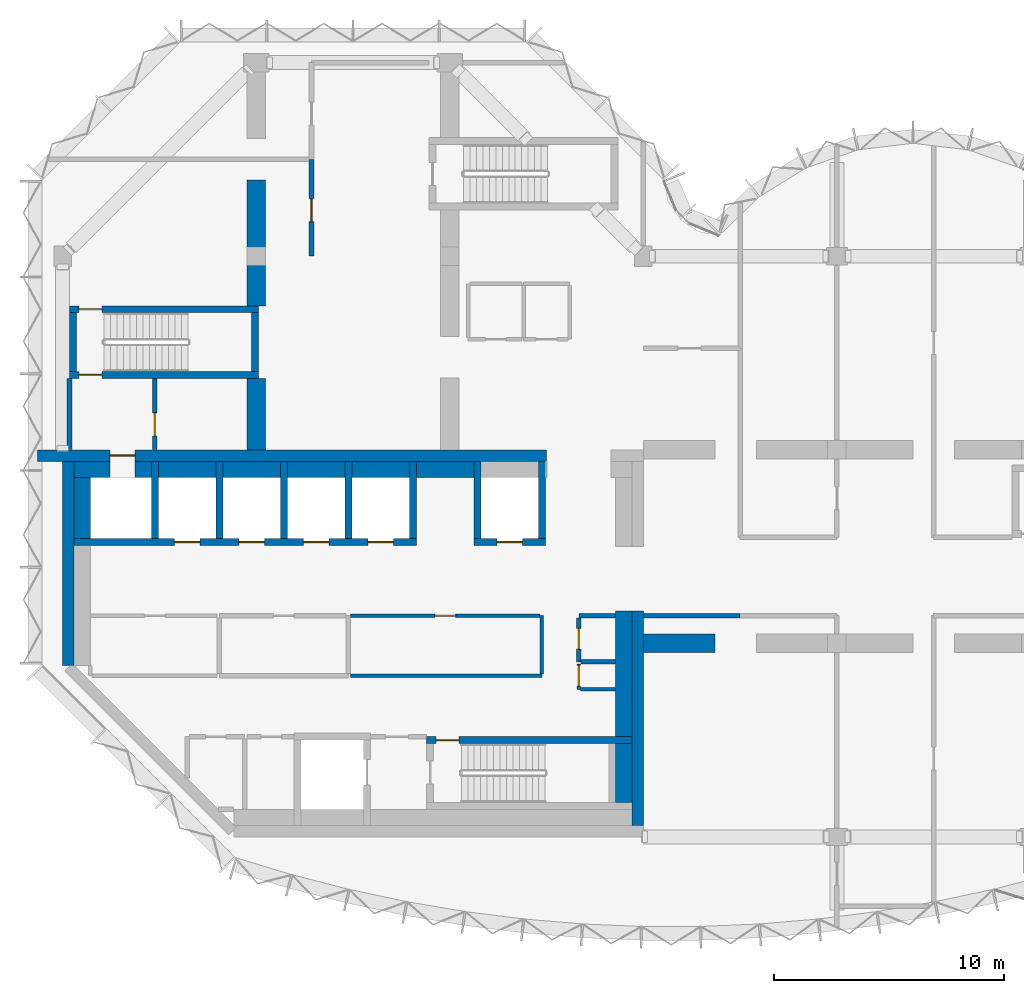
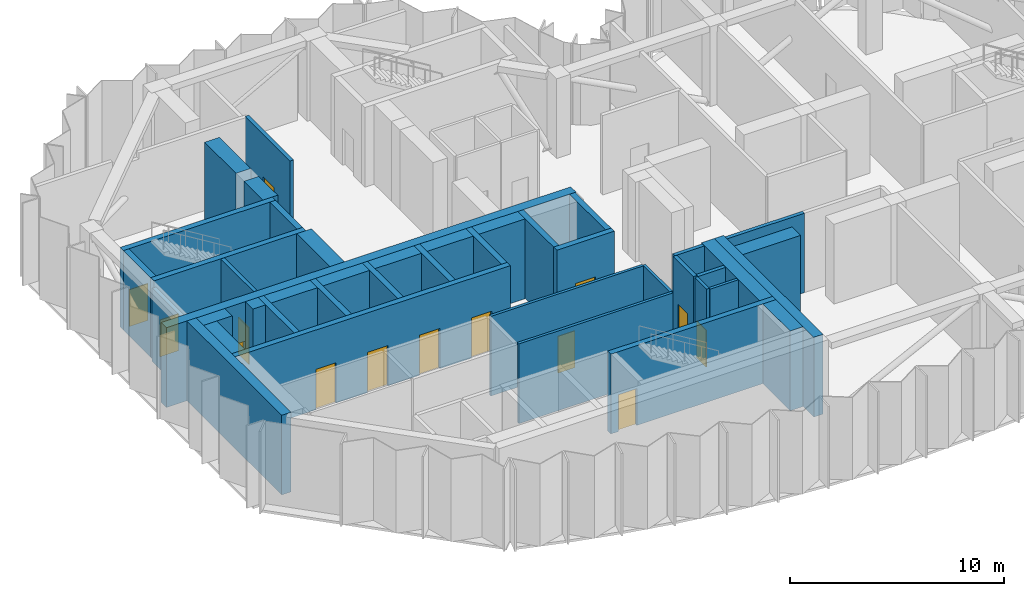
# One storey, part 4 of 13: 43 walls, 14 doors, 14 openings.
"""IFC4 building model written with IfcOpenShell, lengths in metres."""

from ifc_helpers import new_model, si_unit, direction, frame, frame_2d, origin, place, context, subcontext, project, spatial, rectangle, extrude, material, layer, layer_set, type_object, element, fill, save


model = new_model("IFC4")

# Units and contexts
model_context = context("Model", 3, precision=1e-05, world=origin(), true_north=direction((0.0, 1.0)))
body_context = subcontext(model_context, "Body", "Model", "MODEL_VIEW")
ifc_project = project(units=[si_unit("LENGTHUNIT", "METRE"), si_unit("AREAUNIT", "SQUARE_METRE"), si_unit("VOLUMEUNIT", "CUBIC_METRE"), si_unit("PLANEANGLEUNIT", "RADIAN"), si_unit("MASSUNIT", "GRAM", prefix="KILO")], contexts=[model_context])

# Site, building, storey
site_placement = place(None, origin())
site = spatial("IfcSite", under=ifc_project, at=site_placement, CompositionType="ELEMENT")
building_placement = place(site_placement, origin())
building = spatial("IfcBuilding", under=site, at=building_placement, Name="Brevane Broadcast Tower", CompositionType="ELEMENT")
storey_placement = place(building_placement, frame((0.0, 0.0, 210.89990234375)))
storey = spatial("IfcBuildingStorey", under=building, at=storey_placement, Name="L53", CompositionType="ELEMENT", Elevation=210.89990234375)

# Walls
ifc_material_1 = material(Name="Concrete C32/40", Category="concrete")
ifc_layer_1 = layer(ifc_material_1, 0.699951171875)
ifc_layer_set_1 = layer_set([ifc_layer_1], Name="Core chase wall 700 mm")
wall_type_1 = type_object("IfcWallType", Name="Core chase wall 700 mm", PredefinedType="PARTITIONING", material=ifc_layer_set_1)
wall_1_placement = place(storey_placement, frame((0.5, 15.949951171875, 0.0), z_axis=(0.0, 0.0, 1.0), x_axis=(1.0, 0.0, 0.0)))
element("IfcWall", 1, at=wall_1_placement, inside=storey, type_object=wall_type_1, Name="L53 chase wall LN0", PredefinedType="PARTITIONING", context=body_context, shape_type="SweptSolid", body=[
    extrude(rectangle(XDim=1.550048828125, YDim=0.699951171875, at=frame_2d((0.77490234375, 0.0))), origin(), (0.0, 0.0, 1.0), 4.550048828125),
])
wall_2_placement = place(storey_placement, frame((0.85009765625, 12.949951171875, 0.0), z_axis=(0.0, 0.0, 1.0), x_axis=(0.0, 1.0, 0.0)))
element("IfcWall", 2, at=wall_2_placement, inside=storey, type_object=wall_type_1, Name="L53 chase wall LW-2", PredefinedType="PARTITIONING", context=body_context, shape_type="SweptSolid", body=[
    extrude(rectangle(XDim=2.650146484375, YDim=0.699951171875, at=frame_2d((1.3251953125, 0.0))), origin(), (0.0, 0.0, 1.0), 4.550048828125),
])
wall_3_placement = place(storey_placement, frame((3.14990234375, 15.949951171875, 0.0), z_axis=(0.0, 0.0, 1.0), x_axis=(1.0, 0.0, 0.0)))
element("IfcWall", 3, at=wall_3_placement, inside=storey, type_object=wall_type_1, Name="L53 chase wall LN1-1", PredefinedType="PARTITIONING", context=body_context, shape_type="SweptSolid", body=[
    extrude(rectangle(XDim=0.7001953125, YDim=0.699951171875, at=frame_2d((0.35009765625, 0.0))), origin(), (0.0, 0.0, 1.0), 4.550048828125),
])
for number, where, z_axis, x_axis, name in (
    (4, (4.14990234375, 15.949951171875, 0.0), (0.0, 0.0, 1.0), (1.0, 0.0, 0.0), "L53 chase wall LN1-2-1"),
    (5, (6.949951171875, 15.949951171875, 0.0), (0.0, 0.0, 1.0), (1.0, 0.0, 0.0), "L53 chase wall LN1-2-2-1"),
    (6, (9.75, 15.949951171875, 0.0), (0.0, 0.0, 1.0), (1.0, 0.0, 0.0), "L53 chase wall LN1-2-2-2-1"),
    (7, (12.550048828125, 15.949951171875, 0.0), (0.0, 0.0, 1.0), (1.0, 0.0, 0.0), "L53 chase wall LN1-2-2-2-2-1"),
    (8, (15.35009765625, 15.949951171875, 0.0), (0.0, 0.0, 1.0), (1.0, 0.0, 0.0), "L53 chase wall LN1-2-2-2-2-2-1"),
):
    element("IfcWall", number, at=place(storey_placement, frame(where, z_axis=z_axis, x_axis=x_axis)), inside=storey, type_object=wall_type_1, Name=name, PredefinedType="PARTITIONING", context=body_context, shape_type="SweptSolid", body=[
        extrude(rectangle(XDim=2.5, YDim=0.699951171875, at=frame_2d((1.25, 0.0))), origin(), (0.0, 0.0, 1.0), 4.550048828125),
    ])
wall_4_placement = place(storey_placement, frame((24.35009765625, 1.5, 0.0), z_axis=(0.0, 0.0, 1.0), x_axis=(0.0, 1.0, 0.0)))
element("IfcWall", 9, at=wall_4_placement, inside=storey, type_object=wall_type_1, Name="L53 chase wall LE1-2-1", PredefinedType="PARTITIONING", context=body_context, shape_type="SweptSolid", body=[
    extrude(rectangle(XDim=2.550048828125, YDim=0.699951171875, at=frame_2d((1.27490234375, 0.0))), origin(), (0.0, 0.0, 1.0), 4.550048828125),
])
wall_5_placement = place(storey_placement, frame((24.35009765625, 4.35009765625, 0.0), z_axis=(0.0, 0.0, 1.0), x_axis=(0.0, 1.0, 0.0)))
element("IfcWall", 10, at=wall_5_placement, inside=storey, type_object=wall_type_1, Name="L53 chase wall LE1-2-2", PredefinedType="PARTITIONING", context=body_context, shape_type="SweptSolid", body=[
    extrude(rectangle(XDim=5.449951171875, YDim=0.699951171875, at=frame_2d((2.72509765625, 0.0))), origin(), (0.0, 0.0, 1.0), 4.550048828125),
])
ifc_material_2 = material(Name="Gypsum board on steel studs", Category="steel")
ifc_layer_2 = layer(ifc_material_2, 0.14990234375)
ifc_layer_set_2 = layer_set([ifc_layer_2], Name="Core fire partition 150 mm")
wall_type_2 = type_object("IfcWallType", Name="Core fire partition 150 mm", PredefinedType="PARTITIONING", material=ifc_layer_set_2)
wall_6_placement = place(storey_placement, frame((12.5, 7.0, 0.0), z_axis=(0.0, 0.0, 1.0), x_axis=(1.0, 0.0, 0.0)))
element("IfcWall", 11, at=wall_6_placement, inside=storey, type_object=wall_type_2, Name="L53 partition wall P19", PredefinedType="PARTITIONING", context=body_context, shape_type="SweptSolid", body=[
    extrude(rectangle(XDim=8.300048828125, YDim=0.14990234375, at=frame_2d((4.14990234375, 0.0))), origin(), (0.0, 0.0, 1.0), 4.550048828125),
])
wall_7_placement = place(storey_placement, frame((20.800048828125, 7.074951171875, 0.0), z_axis=(0.0, 0.0, 1.0), x_axis=(0.0, 1.0, 0.0)))
element("IfcWall", 12, at=wall_7_placement, inside=storey, type_object=wall_type_2, Name="L53 partition wall P20", PredefinedType="PARTITIONING", context=body_context, shape_type="SweptSolid", body=[
    extrude(rectangle(XDim=2.525146484375, YDim=0.14990234375, at=frame_2d((1.2626953125, 0.0))), origin(), (0.0, 0.0, 1.0), 4.550048828125),
])

# Wall, opening, door
wall_8_placement = place(storey_placement, frame((20.72509765625, 9.60009765625, 0.0), z_axis=(0.0, 0.0, 1.0), x_axis=(-1.0, 0.0, 0.0)))
wall_8 = element("IfcWall", 13, at=wall_8_placement, inside=storey, type_object=wall_type_2, Name="L53 partition wall P21", PredefinedType="PARTITIONING", context=body_context, shape_type="SweptSolid", body=[
    extrude(rectangle(XDim=8.22509765625, YDim=0.14990234375, at=frame_2d((4.112548828125, 0.0))), origin(), (0.0, 0.0, 1.0), 4.550048828125),
])
opening_1_placement = place(wall_8_placement, frame((3.675048828125, 0.0, 0.0)))
opening_1 = element("IfcOpeningElement", 14, at=opening_1_placement, cuts=wall_8, Name="Opening L53-K21", PredefinedType="OPENING", context=body_context, shape_type="SweptSolid", body=[
    extrude(rectangle(XDim=0.89990234375, YDim=2.10009765625, at=frame_2d((0.449951171875, 1.050048828125))), frame((0.0, 0.0849609375, 0.0), z_axis=(0.0, -1.0, 0.0), x_axis=(1.0, 0.0, 0.0)), (0.0, 0.0, 1.0), 0.169921875),
])
ifc_material_3 = material(Name="Steel", Category="steel")
door_type_1 = type_object("IfcDoorType", Name="Service room door 900 x 2100", OperationType="SINGLE_SWING_LEFT", PredefinedType="DOOR", material=ifc_material_3)
door_1_placement = place(opening_1_placement, origin())
door_1 = element("IfcDoor", 15, at=door_1_placement, inside=storey, type_object=door_type_1, Name="Door L53-K21", OperationType="SINGLE_SWING_LEFT", OverallHeight=2.10009765625, OverallWidth=0.89990234375, PredefinedType="DOOR", context=body_context, shape_type="SweptSolid", body=[
    extrude(rectangle(XDim=0.89990234375, YDim=2.10009765625, at=frame_2d((0.449951171875, 1.050048828125))), frame((0.0, 0.02490234375, 0.0), z_axis=(0.0, -1.0, 0.0), x_axis=(1.0, 0.0, 0.0)), (0.0, 0.0, 1.0), 0.050048828125),
])
fill(opening_1, door_1)

wall_9_placement = place(storey_placement, frame((22.39990234375, 7.5, 0.0), z_axis=(0.0, 0.0, 1.0), x_axis=(0.0, -1.0, 0.0)))
wall_9 = element("IfcWall", 16, at=wall_9_placement, inside=storey, type_object=wall_type_2, Name="L53 partition wall P29", PredefinedType="PARTITIONING", context=body_context, shape_type="SweptSolid", body=[
    extrude(rectangle(XDim=1.10009765625, YDim=0.14990234375, at=frame_2d((0.550048828125, 0.0))), origin(), (0.0, 0.0, 1.0), 4.550048828125),
])
opening_2_placement = place(wall_9_placement, frame((0.050048828125, 0.0, 0.0)))
opening_2 = element("IfcOpeningElement", 17, at=opening_2_placement, cuts=wall_9, Name="Opening L53-K17", PredefinedType="OPENING", context=body_context, shape_type="SweptSolid", body=[
    extrude(rectangle(XDim=0.89990234375, YDim=2.10009765625, at=frame_2d((0.449951171875, 1.050048828125))), frame((0.0, 0.0849609375, 0.0), z_axis=(0.0, -1.0, 0.0), x_axis=(1.0, 0.0, 0.0)), (0.0, 0.0, 1.0), 0.169921875),
])
door_2_placement = place(opening_2_placement, origin())
door_2 = element("IfcDoor", 18, at=door_2_placement, inside=storey, type_object=door_type_1, Name="Door L53-K17", OperationType="SINGLE_SWING_LEFT", OverallHeight=2.10009765625, OverallWidth=0.89990234375, PredefinedType="DOOR", context=body_context, shape_type="SweptSolid", body=[
    extrude(rectangle(XDim=0.89990234375, YDim=2.10009765625, at=frame_2d((0.449951171875, 1.050048828125))), frame((0.0, 0.02490234375, 0.0), z_axis=(0.0, -1.0, 0.0), x_axis=(1.0, 0.0, 0.0)), (0.0, 0.0, 1.0), 0.050048828125),
])
fill(opening_2, door_2)

# Walls
wall_10_placement = place(storey_placement, frame((22.47509765625, 6.39990234375, 0.0), z_axis=(0.0, 0.0, 1.0), x_axis=(1.0, 0.0, 0.0)))
element("IfcWall", 19, at=wall_10_placement, inside=storey, type_object=wall_type_2, Name="L53 partition wall P30", PredefinedType="PARTITIONING", context=body_context, shape_type="SweptSolid", body=[
    extrude(rectangle(XDim=1.512939453125, YDim=0.14990234375, at=frame_2d((0.75634765625, 0.0))), origin(), (0.0, 0.0, 1.0), 4.550048828125),
])
ifc_layer_3 = layer(ifc_material_2, 0.199951171875)
ifc_layer_set_3 = layer_set([ifc_layer_3], Name="Core fire partition 200 mm")
wall_type_3 = type_object("IfcWallType", Name="Core fire partition 200 mm", PredefinedType="PARTITIONING", material=ifc_layer_set_3)
wall_11_placement = place(storey_placement, frame((0.300048828125, 16.81201171875, 0.0), z_axis=(0.0, 0.0, 1.0), x_axis=(0.0, 1.0, 0.0)))
element("IfcWall", 20, at=wall_11_placement, inside=storey, type_object=wall_type_3, Name="L53 partition wall P01", PredefinedType="PARTITIONING", context=body_context, shape_type="SweptSolid", body=[
    extrude(rectangle(XDim=3.075927734375, YDim=0.199951171875, at=frame_2d((1.5380859375, 0.0))), origin(), (0.0, 0.0, 1.0), 4.18017578125),
])

# Wall, opening, door
wall_12_placement = place(storey_placement, frame((4.0, 19.887939453125, 0.0), z_axis=(0.0, 0.0, 1.0), x_axis=(0.0, -1.0, 0.0)))
wall_12 = element("IfcWall", 21, at=wall_12_placement, inside=storey, type_object=wall_type_3, Name="L53 partition wall P02", PredefinedType="PARTITIONING", context=body_context, shape_type="SweptSolid", body=[
    extrude(rectangle(XDim=3.075927734375, YDim=0.199951171875, at=frame_2d((1.5380859375, 0.0))), origin(), (0.0, 0.0, 1.0), 4.550048828125),
])
opening_3_placement = place(wall_12_placement, frame((1.488037109375, 0.0, 0.0)))
opening_3 = element("IfcOpeningElement", 22, at=opening_3_placement, cuts=wall_12, Name="Opening L53-K22", PredefinedType="OPENING", context=body_context, shape_type="SweptSolid", body=[
    extrude(rectangle(XDim=1.0, YDim=2.10009765625, at=frame_2d((0.5, 1.050048828125))), frame((0.0, 0.10986328125, 0.0), z_axis=(0.0, -1.0, 0.0), x_axis=(1.0, 0.0, 0.0)), (0.0, 0.0, 1.0), 0.219970703125),
])
door_type_2 = type_object("IfcDoorType", Name="Stair door 1000 x 2100", OperationType="SINGLE_SWING_LEFT", PredefinedType="DOOR", material=ifc_material_3)
door_3_placement = place(opening_3_placement, origin())
door_3 = element("IfcDoor", 23, at=door_3_placement, inside=storey, type_object=door_type_2, Name="Door L53-K22", OperationType="SINGLE_SWING_RIGHT", OverallHeight=2.10009765625, OverallWidth=1.0, PredefinedType="DOOR", context=body_context, shape_type="SweptSolid", body=[
    extrude(rectangle(XDim=1.0, YDim=2.10009765625, at=frame_2d((0.5, 1.050048828125))), frame((0.0, 0.02490234375, 0.0), z_axis=(0.0, -1.0, 0.0), x_axis=(1.0, 0.0, 0.0)), (0.0, 0.0, 1.0), 0.050048828125),
])
fill(opening_3, door_3)

# Wall
wall_13_placement = place(storey_placement, frame((23.988037109375, 9.60009765625, 0.0), z_axis=(0.0, 0.0, 1.0), x_axis=(-1.0, 0.0, 0.0)))
element("IfcWall", 24, at=wall_13_placement, inside=storey, type_object=wall_type_3, Name="L53 partition wall P09", PredefinedType="PARTITIONING", context=body_context, shape_type="SweptSolid", body=[
    extrude(rectangle(XDim=1.588134765625, YDim=0.199951171875, at=frame_2d((0.7939453125, 0.0))), origin(), (0.0, 0.0, 1.0), 4.550048828125),
])

# Wall, opening, door
wall_14_placement = place(storey_placement, frame((22.39990234375, 9.5, 0.0), z_axis=(0.0, 0.0, 1.0), x_axis=(0.0, -1.0, 0.0)))
wall_14 = element("IfcWall", 25, at=wall_14_placement, inside=storey, type_object=wall_type_3, Name="L53 partition wall P10", PredefinedType="PARTITIONING", context=body_context, shape_type="SweptSolid", body=[
    extrude(rectangle(XDim=1.89990234375, YDim=0.199951171875, at=frame_2d((0.949951171875, 0.0))), origin(), (0.0, 0.0, 1.0), 4.550048828125),
])
opening_4_placement = place(wall_14_placement, frame((0.449951171875, 0.0, 0.0)))
opening_4 = element("IfcOpeningElement", 26, at=opening_4_placement, cuts=wall_14, Name="Opening L53-K18", PredefinedType="OPENING", context=body_context, shape_type="SweptSolid", body=[
    extrude(rectangle(XDim=0.89990234375, YDim=2.10009765625, at=frame_2d((0.449951171875, 1.050048828125))), frame((0.0, 0.10986328125, 0.0), z_axis=(0.0, -1.0, 0.0), x_axis=(1.0, 0.0, 0.0)), (0.0, 0.0, 1.0), 0.219970703125),
])
door_4_placement = place(opening_4_placement, origin())
door_4 = element("IfcDoor", 27, at=door_4_placement, inside=storey, type_object=door_type_1, Name="Door L53-K18", OperationType="SINGLE_SWING_RIGHT", OverallHeight=2.10009765625, OverallWidth=0.89990234375, PredefinedType="DOOR", context=body_context, shape_type="SweptSolid", body=[
    extrude(rectangle(XDim=0.89990234375, YDim=2.10009765625, at=frame_2d((0.449951171875, 1.050048828125))), frame((0.0, 0.02490234375, 0.0), z_axis=(0.0, -1.0, 0.0), x_axis=(1.0, 0.0, 0.0)), (0.0, 0.0, 1.0), 0.050048828125),
])
fill(opening_4, door_4)

# Wall
wall_15_placement = place(storey_placement, frame((22.5, 7.60009765625, 0.0), z_axis=(0.0, 0.0, 1.0), x_axis=(1.0, 0.0, 0.0)))
element("IfcWall", 28, at=wall_15_placement, inside=storey, type_object=wall_type_3, Name="L53 partition wall P11", PredefinedType="PARTITIONING", context=body_context, shape_type="SweptSolid", body=[
    extrude(rectangle(XDim=1.488037109375, YDim=0.199951171875, at=frame_2d((0.744140625, 0.0))), origin(), (0.0, 0.0, 1.0), 4.550048828125),
])

# Wall, openings, doors
ifc_material_4 = material(Name="Concrete C50/60", Category="concrete")
ifc_layer_4 = layer(ifc_material_4, 0.300048828125)
ifc_layer_set_4 = layer_set([ifc_layer_4], Name="Core wall 300 mm C50/60")
wall_type_4 = type_object("IfcWallType", Name="Core wall 300 mm C50/60", PredefinedType="SHEAR", material=ifc_layer_set_4)
wall_16_placement = place(storey_placement, frame((0.5, 12.800048828125, 0.0), z_axis=(0.0, 0.0, 1.0), x_axis=(1.0, 0.0, 0.0)))
wall_16 = element("IfcWall", 29, at=wall_16_placement, inside=storey, type_object=wall_type_4, Name="L53 shaft wall SH-N012-front", PredefinedType="SHEAR", context=body_context, shape_type="SweptSolid", body=[
    extrude(rectangle(XDim=14.85009765625, YDim=0.300048828125, at=frame_2d((7.425048828125, 0.0))), origin(), (0.0, 0.0, 1.0), 4.550048828125),
])
opening_5_placement = place(wall_16_placement, frame((4.35009765625, 0.0, 0.0)))
opening_5 = element("IfcOpeningElement", 30, at=opening_5_placement, cuts=wall_16, Name="Opening LD", PredefinedType="OPENING", context=body_context, shape_type="SweptSolid", body=[
    extrude(rectangle(XDim=1.10009765625, YDim=2.300048828125, at=frame_2d((0.550048828125, 1.14990234375))), frame((0.0, 0.159912109375, 0.0), z_axis=(0.0, -1.0, 0.0), x_axis=(1.0, 0.0, 0.0)), (0.0, 0.0, 1.0), 0.320068359375),
])
opening_6_placement = place(wall_16_placement, frame((7.14990234375, 0.0, 0.0)))
opening_6 = element("IfcOpeningElement", 31, at=opening_6_placement, cuts=wall_16, Name="Opening LD", PredefinedType="OPENING", context=body_context, shape_type="SweptSolid", body=[
    extrude(rectangle(XDim=1.10009765625, YDim=2.300048828125, at=frame_2d((0.550048828125, 1.14990234375))), frame((0.0, 0.159912109375, 0.0), z_axis=(0.0, -1.0, 0.0), x_axis=(1.0, 0.0, 0.0)), (0.0, 0.0, 1.0), 0.320068359375),
])
opening_7_placement = place(wall_16_placement, frame((9.949951171875, 0.0, 0.0)))
opening_7 = element("IfcOpeningElement", 32, at=opening_7_placement, cuts=wall_16, Name="Opening LD", PredefinedType="OPENING", context=body_context, shape_type="SweptSolid", body=[
    extrude(rectangle(XDim=1.10009765625, YDim=2.300048828125, at=frame_2d((0.550048828125, 1.14990234375))), frame((0.0, 0.159912109375, 0.0), z_axis=(0.0, -1.0, 0.0), x_axis=(1.0, 0.0, 0.0)), (0.0, 0.0, 1.0), 0.320068359375),
])
opening_8_placement = place(wall_16_placement, frame((12.75, 0.0, 0.0)))
opening_8 = element("IfcOpeningElement", 33, at=opening_8_placement, cuts=wall_16, Name="Opening LD", PredefinedType="OPENING", context=body_context, shape_type="SweptSolid", body=[
    extrude(rectangle(XDim=1.10009765625, YDim=2.300048828125, at=frame_2d((0.550048828125, 1.14990234375))), frame((0.0, 0.159912109375, 0.0), z_axis=(0.0, -1.0, 0.0), x_axis=(1.0, 0.0, 0.0)), (0.0, 0.0, 1.0), 0.320068359375),
])
ifc_material_5 = material(Name="Stainless steel", Category="steel")
door_type_3 = type_object("IfcDoorType", Name="Lift landing door", OperationType="SLIDING_TO_LEFT", PredefinedType="DOOR", material=ifc_material_5)
door_5_placement = place(opening_5_placement, origin())
door_5 = element("IfcDoor", 34, at=door_5_placement, inside=storey, type_object=door_type_3, Name="Landing door HR1 L53", OperationType="SLIDING_TO_LEFT", OverallHeight=2.300048828125, OverallWidth=1.10009765625, PredefinedType="DOOR", context=body_context, shape_type="SweptSolid", body=[
    extrude(rectangle(XDim=1.10009765625, YDim=2.300048828125, at=frame_2d((0.550048828125, 1.14990234375))), frame((0.0, 0.02490234375, 0.0), z_axis=(0.0, -1.0, 0.0), x_axis=(1.0, 0.0, 0.0)), (0.0, 0.0, 1.0), 0.050048828125),
])
fill(opening_5, door_5)
door_6_placement = place(opening_6_placement, origin())
door_6 = element("IfcDoor", 35, at=door_6_placement, inside=storey, type_object=door_type_3, Name="Landing door HR2 L53", OperationType="SLIDING_TO_LEFT", OverallHeight=2.300048828125, OverallWidth=1.10009765625, PredefinedType="DOOR", context=body_context, shape_type="SweptSolid", body=[
    extrude(rectangle(XDim=1.10009765625, YDim=2.300048828125, at=frame_2d((0.550048828125, 1.14990234375))), frame((0.0, 0.02490234375, 0.0), z_axis=(0.0, -1.0, 0.0), x_axis=(1.0, 0.0, 0.0)), (0.0, 0.0, 1.0), 0.050048828125),
])
fill(opening_6, door_6)
door_7_placement = place(opening_7_placement, origin())
door_7 = element("IfcDoor", 36, at=door_7_placement, inside=storey, type_object=door_type_3, Name="Landing door HR3 L53", OperationType="SLIDING_TO_LEFT", OverallHeight=2.300048828125, OverallWidth=1.10009765625, PredefinedType="DOOR", context=body_context, shape_type="SweptSolid", body=[
    extrude(rectangle(XDim=1.10009765625, YDim=2.300048828125, at=frame_2d((0.550048828125, 1.14990234375))), frame((0.0, 0.02490234375, 0.0), z_axis=(0.0, -1.0, 0.0), x_axis=(1.0, 0.0, 0.0)), (0.0, 0.0, 1.0), 0.050048828125),
])
fill(opening_7, door_7)
door_8_placement = place(opening_8_placement, origin())
door_8 = element("IfcDoor", 37, at=door_8_placement, inside=storey, type_object=door_type_3, Name="Landing door HR4 L53", OperationType="SLIDING_TO_LEFT", OverallHeight=2.300048828125, OverallWidth=1.10009765625, PredefinedType="DOOR", context=body_context, shape_type="SweptSolid", body=[
    extrude(rectangle(XDim=1.10009765625, YDim=2.300048828125, at=frame_2d((0.550048828125, 1.14990234375))), frame((0.0, 0.02490234375, 0.0), z_axis=(0.0, -1.0, 0.0), x_axis=(1.0, 0.0, 0.0)), (0.0, 0.0, 1.0), 0.050048828125),
])
fill(opening_8, door_8)

# Walls
for number, where, z_axis, x_axis, name in (
    (38, (4.0, 12.949951171875, 0.0), (0.0, 0.0, 1.0), (0.0, 1.0, 0.0), "L53 shaft wall SH-N-P040"),
    (39, (6.800048828125, 12.949951171875, 0.0), (0.0, 0.0, 1.0), (0.0, 1.0, 0.0), "L53 shaft wall SH-N-P068"),
    (40, (9.60009765625, 12.949951171875, 0.0), (0.0, 0.0, 1.0), (0.0, 1.0, 0.0), "L53 shaft wall SH-N-P096"),
    (41, (12.39990234375, 12.949951171875, 0.0), (0.0, 0.0, 1.0), (0.0, 1.0, 0.0), "L53 shaft wall SH-N-P124"),
    (42, (15.199951171875, 12.949951171875, 0.0), (0.0, 0.0, 1.0), (0.0, 1.0, 0.0), "L53 shaft wall SH-N-P152"),
):
    element("IfcWall", number, at=place(storey_placement, frame(where, z_axis=z_axis, x_axis=x_axis)), inside=storey, type_object=wall_type_4, Name=name, PredefinedType="SHEAR", context=body_context, shape_type="SweptSolid", body=[
        extrude(rectangle(XDim=3.35009765625, YDim=0.300048828125, at=frame_2d((1.675048828125, 0.0))), origin(), (0.0, 0.0, 1.0), 4.550048828125),
    ])

# Wall, opening, door
wall_17_placement = place(storey_placement, frame((17.85009765625, 12.800048828125, 0.0), z_axis=(0.0, 0.0, 1.0), x_axis=(1.0, 0.0, 0.0)))
wall_17 = element("IfcWall", 43, at=wall_17_placement, inside=storey, type_object=wall_type_4, Name="L53 shaft wall SH-N180-front", PredefinedType="SHEAR", context=body_context, shape_type="SweptSolid", body=[
    extrude(rectangle(XDim=3.099853515625, YDim=0.300048828125, at=frame_2d((1.5498046875, 0.0))), origin(), (0.0, 0.0, 1.0), 4.550048828125),
])
opening_9_placement = place(wall_17_placement, frame((1.0, 0.0, 0.0)))
opening_9 = element("IfcOpeningElement", 44, at=opening_9_placement, cuts=wall_17, Name="Opening LD", PredefinedType="OPENING", context=body_context, shape_type="SweptSolid", body=[
    extrude(rectangle(XDim=1.10009765625, YDim=2.300048828125, at=frame_2d((0.550048828125, 1.14990234375))), frame((0.0, 0.159912109375, 0.0), z_axis=(0.0, -1.0, 0.0), x_axis=(1.0, 0.0, 0.0)), (0.0, 0.0, 1.0), 0.320068359375),
])
door_9_placement = place(opening_9_placement, origin())
door_9 = element("IfcDoor", 45, at=door_9_placement, inside=storey, type_object=door_type_3, Name="Landing door SL1 L53", OperationType="SLIDING_TO_LEFT", OverallHeight=2.300048828125, OverallWidth=1.10009765625, PredefinedType="DOOR", context=body_context, shape_type="SweptSolid", body=[
    extrude(rectangle(XDim=1.10009765625, YDim=2.300048828125, at=frame_2d((0.550048828125, 1.14990234375))), frame((0.0, 0.02490234375, 0.0), z_axis=(0.0, -1.0, 0.0), x_axis=(1.0, 0.0, 0.0)), (0.0, 0.0, 1.0), 0.050048828125),
])
fill(opening_9, door_9)

# Walls
for number, where, z_axis, x_axis, name in (
    (46, (18.0, 12.949951171875, 0.0), (0.0, 0.0, 1.0), (0.0, 1.0, 0.0), "L53 shaft wall SH-N-P180"),
    (47, (20.800048828125, 12.949951171875, 0.0), (0.0, 0.0, 1.0), (0.0, 1.0, 0.0), "L53 shaft wall SH-N-P208"),
):
    element("IfcWall", number, at=place(storey_placement, frame(where, z_axis=z_axis, x_axis=x_axis)), inside=storey, type_object=wall_type_4, Name=name, PredefinedType="SHEAR", context=body_context, shape_type="SweptSolid", body=[
        extrude(rectangle(XDim=3.35009765625, YDim=0.300048828125, at=frame_2d((1.675048828125, 0.0))), origin(), (0.0, 0.0, 1.0), 4.550048828125),
    ])

# Wall, opening, door
wall_18_placement = place(storey_placement, frame((8.5, 20.050048828125, 0.0), z_axis=(0.0, 0.0, 1.0), x_axis=(-1.0, 0.0, 0.0)))
wall_18 = element("IfcWall", 48, at=wall_18_placement, inside=storey, type_object=wall_type_4, Name="L53 stair wall ST-1-S", PredefinedType="SHEAR", context=body_context, shape_type="SweptSolid", body=[
    extrude(rectangle(XDim=8.199951171875, YDim=0.300048828125, at=frame_2d((4.10009765625, 0.0))), origin(), (0.0, 0.0, 1.0), 4.550048828125),
])
opening_10_placement = place(wall_18_placement, frame((6.800048828125, 0.0, 0.0)))
opening_10 = element("IfcOpeningElement", 49, at=opening_10_placement, cuts=wall_18, Name="Opening L53-K08", PredefinedType="OPENING", context=body_context, shape_type="SweptSolid", body=[
    extrude(rectangle(XDim=1.0, YDim=2.10009765625, at=frame_2d((0.5, 1.050048828125))), frame((0.0, 0.159912109375, 0.0), z_axis=(0.0, -1.0, 0.0), x_axis=(1.0, 0.0, 0.0)), (0.0, 0.0, 1.0), 0.320068359375),
])
door_10_placement = place(opening_10_placement, origin())
door_10 = element("IfcDoor", 50, at=door_10_placement, inside=storey, type_object=door_type_2, Name="Door L53-K08", OperationType="SINGLE_SWING_RIGHT", OverallHeight=2.10009765625, OverallWidth=1.0, PredefinedType="DOOR", context=body_context, shape_type="SweptSolid", body=[
    extrude(rectangle(XDim=1.0, YDim=2.10009765625, at=frame_2d((0.5, 1.050048828125))), frame((0.0, 0.02490234375, 0.0), z_axis=(0.0, -1.0, 0.0), x_axis=(1.0, 0.0, 0.0)), (0.0, 0.0, 1.0), 0.050048828125),
])
fill(opening_10, door_10)

wall_19_placement = place(storey_placement, frame((0.300048828125, 22.89990234375, 0.0), z_axis=(0.0, 0.0, 1.0), x_axis=(1.0, 0.0, 0.0)))
wall_19 = element("IfcWall", 51, at=wall_19_placement, inside=storey, type_object=wall_type_4, Name="L53 stair wall ST-1-N", PredefinedType="SHEAR", context=body_context, shape_type="SweptSolid", body=[
    extrude(rectangle(XDim=8.199951171875, YDim=0.300048828125, at=frame_2d((4.10009765625, 0.0))), origin(), (0.0, 0.0, 1.0), 4.550048828125),
])
opening_11_placement = place(wall_19_placement, frame((0.39990234375, 0.0, 0.0)))
opening_11 = element("IfcOpeningElement", 52, at=opening_11_placement, cuts=wall_19, Name="Opening L53-K09", PredefinedType="OPENING", context=body_context, shape_type="SweptSolid", body=[
    extrude(rectangle(XDim=1.0, YDim=2.10009765625, at=frame_2d((0.5, 1.050048828125))), frame((0.0, 0.159912109375, 0.0), z_axis=(0.0, -1.0, 0.0), x_axis=(1.0, 0.0, 0.0)), (0.0, 0.0, 1.0), 0.320068359375),
])
door_11_placement = place(opening_11_placement, origin())
door_11 = element("IfcDoor", 53, at=door_11_placement, inside=storey, type_object=door_type_2, Name="Door L53-K09", OperationType="SINGLE_SWING_LEFT", OverallHeight=2.10009765625, OverallWidth=1.0, PredefinedType="DOOR", context=body_context, shape_type="SweptSolid", body=[
    extrude(rectangle(XDim=1.0, YDim=2.10009765625, at=frame_2d((0.5, 1.050048828125))), frame((0.0, 0.02490234375, 0.0), z_axis=(0.0, -1.0, 0.0), x_axis=(1.0, 0.0, 0.0)), (0.0, 0.0, 1.0), 0.050048828125),
])
fill(opening_11, door_11)

# Walls
for number, where, z_axis, x_axis, name in (
    (54, (0.449951171875, 20.199951171875, 0.0), (0.0, 0.0, 1.0), (0.0, 1.0, 0.0), "L53 stair wall ST-1-W"),
    (55, (8.35009765625, 20.199951171875, 0.0), (0.0, 0.0, 1.0), (0.0, 1.0, 0.0), "L53 stair wall ST-1-E"),
):
    element("IfcWall", number, at=place(storey_placement, frame(where, z_axis=z_axis, x_axis=x_axis)), inside=storey, type_object=wall_type_4, Name=name, PredefinedType="SHEAR", context=body_context, shape_type="SweptSolid", body=[
        extrude(rectangle(XDim=2.550048828125, YDim=0.300048828125, at=frame_2d((1.27490234375, 0.0))), origin(), (0.0, 0.0, 1.0), 4.550048828125),
    ])

# Wall, opening, door
wall_20_placement = place(storey_placement, frame((15.800048828125, 4.199951171875, 0.0), z_axis=(0.0, 0.0, 1.0), x_axis=(1.0, 0.0, 0.0)))
wall_20 = element("IfcWall", 56, at=wall_20_placement, inside=storey, type_object=wall_type_4, Name="L53 stair wall ST-2-N", PredefinedType="SHEAR", context=body_context, shape_type="SweptSolid", body=[
    extrude(rectangle(XDim=8.89990234375, YDim=0.300048828125, at=frame_2d((4.449951171875, 0.0))), origin(), (0.0, 0.0, 1.0), 4.550048828125),
])
opening_12_placement = place(wall_20_placement, frame((0.39990234375, 0.0, 0.0)))
opening_12 = element("IfcOpeningElement", 57, at=opening_12_placement, cuts=wall_20, Name="Opening L53-K11", PredefinedType="OPENING", context=body_context, shape_type="SweptSolid", body=[
    extrude(rectangle(XDim=1.0, YDim=2.10009765625, at=frame_2d((0.5, 1.050048828125))), frame((0.0, 0.159912109375, 0.0), z_axis=(0.0, -1.0, 0.0), x_axis=(1.0, 0.0, 0.0)), (0.0, 0.0, 1.0), 0.320068359375),
])
door_12_placement = place(opening_12_placement, origin())
door_12 = element("IfcDoor", 58, at=door_12_placement, inside=storey, type_object=door_type_2, Name="Door L53-K11", OperationType="SINGLE_SWING_LEFT", OverallHeight=2.10009765625, OverallWidth=1.0, PredefinedType="DOOR", context=body_context, shape_type="SweptSolid", body=[
    extrude(rectangle(XDim=1.0, YDim=2.10009765625, at=frame_2d((0.5, 1.050048828125))), frame((0.0, 0.02490234375, 0.0), z_axis=(0.0, -1.0, 0.0), x_axis=(1.0, 0.0, 0.0)), (0.0, 0.0, 1.0), 0.050048828125),
])
fill(opening_12, door_12)

ifc_layer_5 = layer(ifc_material_4, 0.5)
ifc_layer_set_5 = layer_set([ifc_layer_5], Name="Core wall 500 mm C50/60")
wall_type_5 = type_object("IfcWallType", Name="Core wall 500 mm C50/60", PredefinedType="SHEAR", material=ifc_layer_set_5)
wall_21_placement = place(storey_placement, frame((-1.10009765625, 16.550048828125, 0.0), z_axis=(0.0, 0.0, 1.0), x_axis=(1.0, 0.0, 0.0)))
wall_21 = element("IfcWall", 59, at=wall_21_placement, inside=storey, type_object=wall_type_5, Name="L53 outer wall WN1", PredefinedType="SHEAR", context=body_context, shape_type="SweptSolid", body=[
    extrude(rectangle(XDim=22.10009765625, YDim=0.5, at=frame_2d((11.050048828125, 0.0))), origin(), (0.0, 0.0, 1.0), 4.550048828125),
])
opening_13_placement = place(wall_21_placement, frame((3.14990234375, 0.0, 0.0)))
opening_13 = element("IfcOpeningElement", 60, at=opening_13_placement, cuts=wall_21, Name="Opening LD", PredefinedType="OPENING", context=body_context, shape_type="SweptSolid", body=[
    extrude(rectangle(XDim=1.10009765625, YDim=2.300048828125, at=frame_2d((0.550048828125, 1.14990234375))), frame((0.0, 0.260009765625, 0.0), z_axis=(0.0, -1.0, 0.0), x_axis=(1.0, 0.0, 0.0)), (0.0, 0.0, 1.0), 0.52001953125),
])
door_13_placement = place(opening_13_placement, origin())
door_13 = element("IfcDoor", 61, at=door_13_placement, inside=storey, type_object=door_type_3, Name="Landing door FF1 L53", OperationType="SLIDING_TO_LEFT", OverallHeight=2.300048828125, OverallWidth=1.10009765625, PredefinedType="DOOR", context=body_context, shape_type="SweptSolid", body=[
    extrude(rectangle(XDim=1.10009765625, YDim=2.300048828125, at=frame_2d((0.550048828125, 1.14990234375))), frame((0.0, 0.02490234375, 0.0), z_axis=(0.0, -1.0, 0.0), x_axis=(1.0, 0.0, 0.0)), (0.0, 0.0, 1.0), 0.050048828125),
])
fill(opening_13, door_13)

# Walls
wall_22_placement = place(storey_placement, frame((0.25, 7.436279296875, 0.0), z_axis=(0.0, 0.0, 1.0), x_axis=(0.0, 1.0, 0.0)))
element("IfcWall", 62, at=wall_22_placement, inside=storey, type_object=wall_type_5, Name="L53 outer wall WW", PredefinedType="SHEAR", context=body_context, shape_type="SweptSolid", body=[
    extrude(rectangle(XDim=8.86376953125, YDim=0.5, at=frame_2d((4.431884765625, 0.0))), origin(), (0.0, 0.0, 1.0), 4.550048828125),
])
wall_23_placement = place(storey_placement, frame((24.949951171875, 0.5, 0.0), z_axis=(0.0, 0.0, 1.0), x_axis=(0.0, 1.0, 0.0)))
element("IfcWall", 63, at=wall_23_placement, inside=storey, type_object=wall_type_5, Name="L53 outer wall WE1", PredefinedType="SHEAR", context=body_context, shape_type="SweptSolid", body=[
    extrude(rectangle(XDim=9.300048828125, YDim=0.5, at=frame_2d((4.64990234375, 0.0))), origin(), (0.0, 0.0, 1.0), 4.550048828125),
])
ifc_material_6 = material(Name="Gypsum board partition")
ifc_layer_6 = layer(ifc_material_6, 0.199951171875)
ifc_layer_set_6 = layer_set([ifc_layer_6], Name="PARTITION 200 EI 120")
wall_type_6 = type_object("IfcWallType", Name="PARTITION 200 EI 120", PredefinedType="PARTITIONING", material=ifc_layer_set_6)
wall_24_placement = place(storey_placement, frame((29.39990234375, 9.60009765625, 0.0), z_axis=(0.0, 0.0, 1.0), x_axis=(-1.0, 0.0, 0.0)))
element("IfcWall", 64, at=wall_24_placement, inside=storey, type_object=wall_type_6, Name="Partition R3-002", PredefinedType="PARTITIONING", context=body_context, shape_type="SweptSolid", body=[
    extrude(rectangle(XDim=4.199951171875, YDim=0.199951171875, at=frame_2d((2.10009765625, 0.0))), origin(), (0.0, 0.0, 1.0), 4.530029296875),
])

# Wall, opening, door
wall_25_placement = place(storey_placement, frame((10.800048828125, 25.199951171875, 0.0), z_axis=(0.0, 0.0, 1.0), x_axis=(0.0, 1.0, 0.0)))
wall_25 = element("IfcWall", 65, at=wall_25_placement, inside=storey, type_object=wall_type_6, Name="Partition R3-022", PredefinedType="PARTITIONING", context=body_context, shape_type="SweptSolid", body=[
    extrude(rectangle(XDim=4.199951171875, YDim=0.199951171875, at=frame_2d((2.10009765625, 0.0))), origin(), (0.0, 0.0, 1.0), 4.530029296875),
])
opening_14_placement = place(wall_25_placement, frame((1.5, 0.0, 0.0)))
opening_14 = element("IfcOpeningElement", 66, at=opening_14_placement, cuts=wall_25, Name="Opening D26-007", PredefinedType="OPENING", context=body_context, shape_type="SweptSolid", body=[
    extrude(rectangle(XDim=1.0, YDim=2.10009765625, at=frame_2d((0.5, 1.050048828125))), frame((0.0, 0.10986328125, 0.0), z_axis=(0.0, -1.0, 0.0), x_axis=(1.0, 0.0, 0.0)), (0.0, 0.0, 1.0), 0.219970703125),
])
ifc_material_7 = material(Name="Fire-rated timber door leaf", Category="wood")
door_type_4 = type_object("IfcDoorType", Name="DOOR SINGLE 1000 FD60", OperationType="SINGLE_SWING_LEFT", PredefinedType="DOOR", material=ifc_material_7)
door_14_placement = place(opening_14_placement, origin())
door_14 = element("IfcDoor", 67, at=door_14_placement, inside=storey, type_object=door_type_4, Name="Door D26-007", OperationType="SINGLE_SWING_LEFT", OverallHeight=2.10009765625, OverallWidth=1.0, PredefinedType="DOOR", context=body_context, shape_type="SweptSolid", body=[
    extrude(rectangle(XDim=1.0, YDim=2.10009765625, at=frame_2d((0.5, 1.050048828125))), frame((0.0, 0.02490234375, 0.0), z_axis=(0.0, -1.0, 0.0), x_axis=(1.0, 0.0, 0.0)), (0.0, 0.0, 1.0), 0.050048828125),
])
fill(opening_14, door_14)

# Walls
ifc_material_8 = material(Name="Concrete C60/75", Category="concrete")
ifc_layer_7 = layer(ifc_material_8, 0.800048828125)
ifc_layer_set_7 = layer_set([ifc_layer_7], Name="RC OUTRIGGER WALL 800 C60/75")
wall_type_7 = type_object("IfcWallType", Name="RC OUTRIGGER WALL 800 C60/75", PredefinedType="SHEAR", material=ifc_layer_set_7)
wall_26_placement = place(storey_placement, frame((25.199951171875, 8.39990234375, 0.0), z_axis=(0.0, 0.0, 1.0), x_axis=(1.0, 0.0, 0.0)))
element("IfcWall", 68, at=wall_26_placement, inside=storey, type_object=wall_type_7, Name="OR1 L53-1", PredefinedType="SHEAR", context=body_context, shape_type="SweptSolid", body=[
    extrude(rectangle(XDim=3.114990234375, YDim=0.800048828125, at=frame_2d((1.5576171875, 0.0))), origin(), (0.0, 0.0, 1.0), 4.550048828125),
])
wall_27_placement = place(storey_placement, frame((8.39990234375, 16.800048828125, 0.0), z_axis=(0.0, 0.0, 1.0), x_axis=(0.0, 1.0, 0.0)))
element("IfcWall", 69, at=wall_27_placement, inside=storey, type_object=wall_type_7, Name="OR1 L53-13", PredefinedType="SHEAR", context=body_context, shape_type="SweptSolid", body=[
    extrude(rectangle(XDim=3.099853515625, YDim=0.800048828125, at=frame_2d((1.5498046875, 0.0))), origin(), (0.0, 0.0, 1.0), 4.550048828125),
])
wall_28_placement = place(storey_placement, frame((8.39990234375, 23.050048828125, 0.0), z_axis=(0.0, 0.0, 1.0), x_axis=(0.0, 1.0, 0.0)))
element("IfcWall", 70, at=wall_28_placement, inside=storey, type_object=wall_type_7, Name="OR1 L53-14", PredefinedType="SHEAR", context=body_context, shape_type="SweptSolid", body=[
    extrude(rectangle(XDim=1.780029296875, YDim=0.800048828125, at=frame_2d((0.89013671875, 0.0))), origin(), (0.0, 0.0, 1.0), 4.550048828125),
])
wall_29_placement = place(storey_placement, frame((8.39990234375, 25.570068359375, 0.0), z_axis=(0.0, 0.0, 1.0), x_axis=(0.0, 1.0, 0.0)))
element("IfcWall", 71, at=wall_29_placement, inside=storey, type_object=wall_type_7, Name="OR1 L53-15", PredefinedType="SHEAR", context=body_context, shape_type="SweptSolid", body=[
    extrude(rectangle(XDim=2.929931640625, YDim=0.800048828125, at=frame_2d((1.46484375, 0.0))), origin(), (0.0, 0.0, 1.0), 4.550048828125),
])

save(model, "model.ifc")
